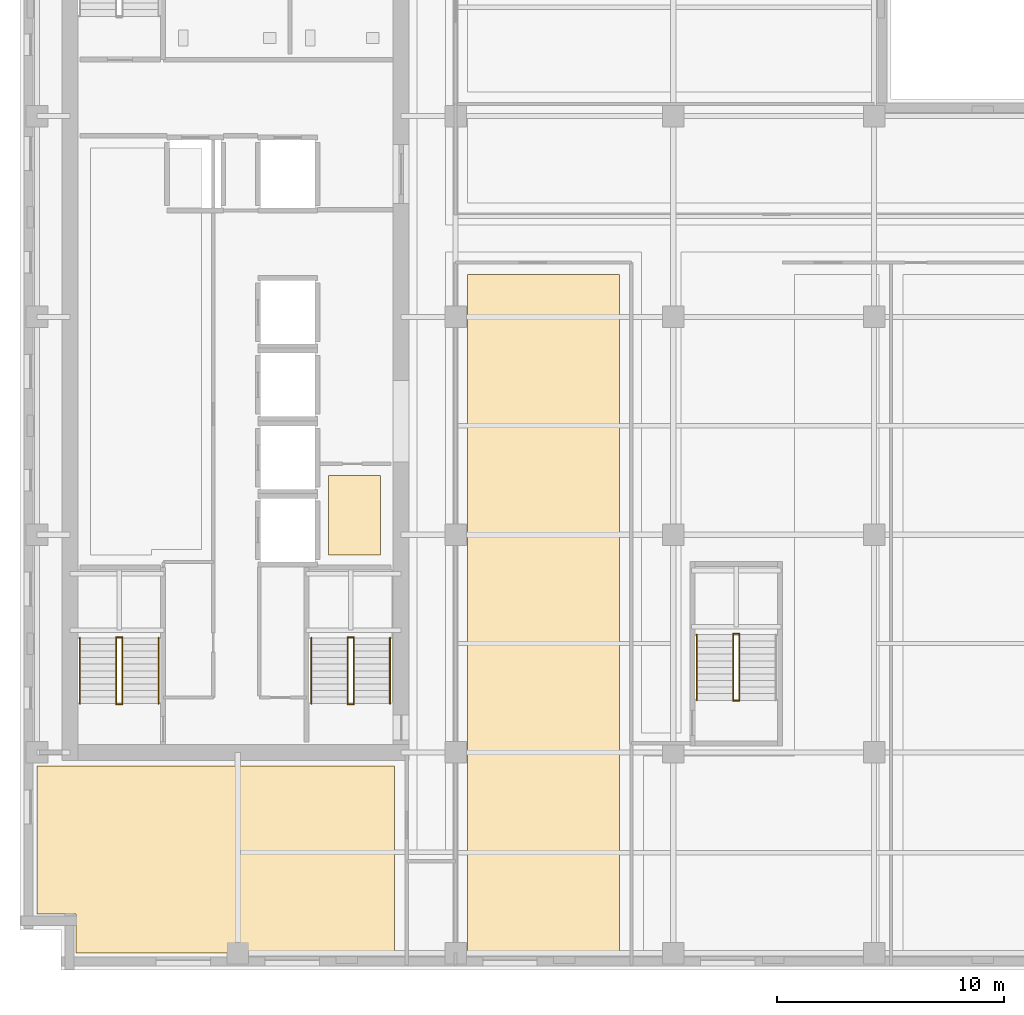
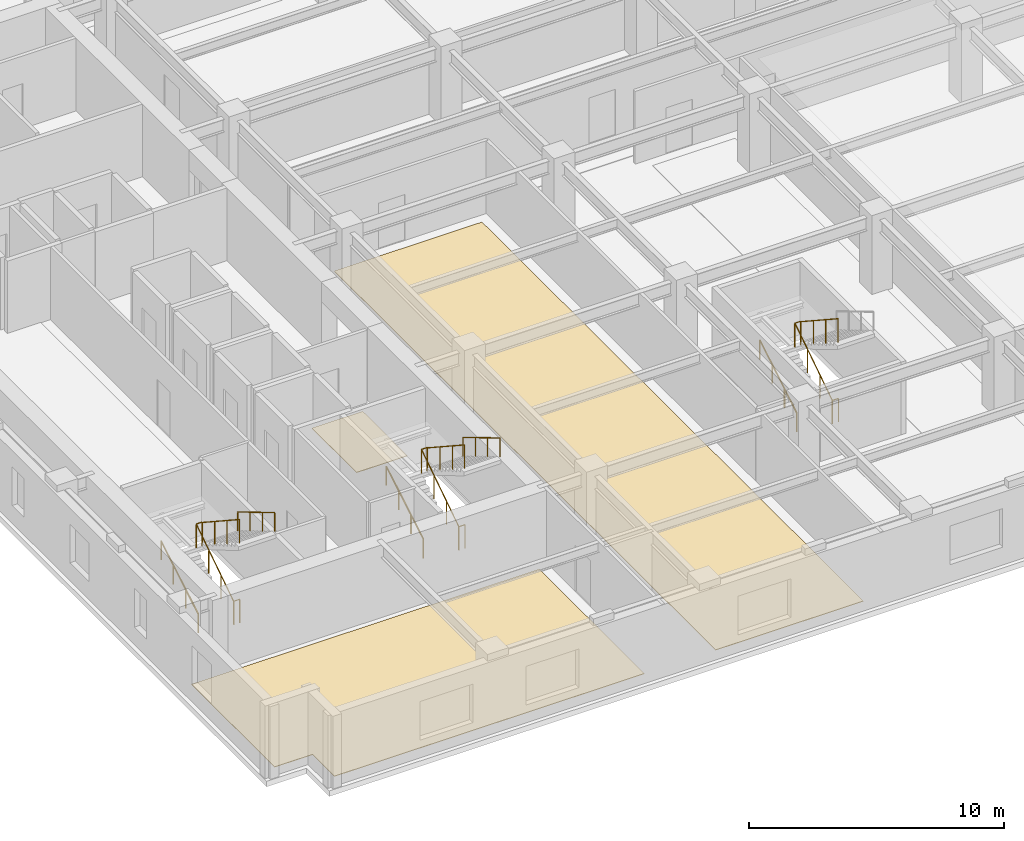
# One storey, part 9 of 13: 17 railings, 3 coverings.
"""IFC4 building model written with IfcOpenShell, lengths in metres."""

from ifc_helpers import new_model, si_unit, direction, frame, origin, origin_2d, place, context, subcontext, project, spatial, polyline, circle, outline, extrude, material, layer, layer_set, type_object, element, save


model = new_model("IFC4")

# Units and contexts
model_context = context("Model", 3, precision=1e-05, world=origin(), true_north=direction((0.0, 1.0)))
body_context = subcontext(model_context, "Body", "Model", "MODEL_VIEW")
ifc_project = project(units=[si_unit("LENGTHUNIT", "METRE"), si_unit("AREAUNIT", "SQUARE_METRE"), si_unit("VOLUMEUNIT", "CUBIC_METRE"), si_unit("PLANEANGLEUNIT", "RADIAN"), si_unit("MASSUNIT", "GRAM", prefix="KILO")], contexts=[model_context])

# Site, building, storey
site_placement = place(None, origin())
site = spatial("IfcSite", under=ifc_project, at=site_placement, CompositionType="ELEMENT")
building_placement = place(site_placement, origin())
building = spatial("IfcBuilding", under=site, at=building_placement, Name="Norrvale University Quadrangle", CompositionType="ELEMENT")
storey_placement = place(building_placement, frame((0.0, 0.0, 190.199951171875)))
storey = spatial("IfcBuildingStorey", under=building, at=storey_placement, Name="L48", CompositionType="ELEMENT", Elevation=190.199951171875)

# Coverings
ifc_material_1 = material(Name="Polished Terrazzo Flooring")
ifc_layer = layer(ifc_material_1, 0.02490234375, Name="Polished Terrazzo Flooring")
ifc_layer_set = layer_set([ifc_layer], Name="Polished Terrazzo Flooring")
covering_type = type_object("IfcCoveringType", Name="Covering Terrazzo Floor 30", PredefinedType="FLOORING", material=ifc_layer_set)
covering_1_placement = place(storey_placement, origin())
element("IfcCovering", 1, at=covering_1_placement, inside=storey, type_object=covering_type, Name="Terrazzo Flooring RM-L48-JAN", PredefinedType="FLOORING", context=body_context, shape_type="SweptSolid", body=[
    extrude(outline(polyline([(13.60009765625, 18.300048828125), (13.60009765625, 21.800048828125), (15.89990234375, 21.800048828125), (15.89990234375, 18.300048828125), (13.60009765625, 18.300048828125)])), origin(), (0.0, 0.0, 1.0), 0.025146484375),
])
covering_2_placement = place(storey_placement, origin())
element("IfcCovering", 2, at=covering_2_placement, inside=storey, type_object=covering_type, Name="Terrazzo Flooring RM-L48-SW1", PredefinedType="FLOORING", context=body_context, shape_type="SweptSolid", body=[
    extrude(outline(polyline([(0.75, 9.0), (16.5, 9.0), (16.5, 0.75), (2.469970703125, 0.75), (2.469970703125, 2.469970703125), (0.75, 2.469970703125), (0.75, 9.0)])), origin(), (0.0, 0.0, 1.0), 0.025146484375),
])
covering_3_placement = place(storey_placement, origin())
element("IfcCovering", 3, at=covering_3_placement, inside=storey, type_object=covering_type, Name="Terrazzo Flooring RM-L48-SE1", PredefinedType="FLOORING", context=body_context, shape_type="SweptSolid", body=[
    extrude(outline(polyline([(19.72998046875, 30.669921875), (26.419921875, 30.669921875), (26.419921875, 0.75), (19.72998046875, 0.75), (19.72998046875, 30.669921875)])), origin(), (0.0, 0.0, 1.0), 0.025146484375),
])

# Railings
ifc_material_2 = material(Name="Steel 350W Painted Balustrade", Category="steel")
railing_type_1 = type_object("IfcRailingType", Name="Railing Stair Guard 1100", PredefinedType="GUARDRAIL", material=ifc_material_2)
for number, where, name in (
    (4, (4.239990234375, 11.719970703125, 0.0), "Stair Floor Well Guard ST-01 L48"),
    (5, (4.239990234375, 14.679931640625, 1.900146484375), "Stair Mid-Landing Slot Guard ST-01 L48"),
):
    element("IfcRailing", number, at=place(storey_placement, frame(where)), inside=storey, type_object=railing_type_1, Name=name, PredefinedType="GUARDRAIL", context=body_context, shape_type="SweptSolid", body=[
        extrude(circle(Radius=0.02392578125, at=origin_2d()), frame((0.0, 0.0, 1.1259765625), z_axis=(1.0, 0.0, 0.0), x_axis=(0.0, 1.0, 0.0)), (0.0, 0.0, 1.0), 0.27001953125),
        extrude(circle(Radius=0.02099609375, at=origin_2d()), origin(), (0.0, 0.0, 1.0), 1.101806640625),
        extrude(circle(Radius=0.02099609375, at=origin_2d()), frame((0.27001953125, 0.0, 0.0)), (0.0, 0.0, 1.0), 1.101806640625),
    ])
railing_1_placement = place(storey_placement, frame((4.239990234375, 11.75, 0.0)))
element("IfcRailing", 6, at=railing_1_placement, inside=storey, type_object=railing_type_1, Name="Stair Lower Flight Inner Guard ST-01 L48", PredefinedType="GUARDRAIL", context=body_context, shape_type="SweptSolid", body=[
    extrude(circle(Radius=0.02392578125, at=origin_2d()), frame((0.0, 0.0, 1.1259765625), z_axis=(0.0, 0.836433300813, 0.548068730445), x_axis=(-1.0, 0.0, 0.0)), (0.0, 0.0, 1.0), 3.467041015625),
    extrude(circle(Radius=0.02099609375, at=origin_2d()), origin(), (0.0, 0.0, 1.0), 1.101806640625),
    extrude(circle(Radius=0.02099609375, at=origin_2d()), frame((0.0, 0.966552734375, 0.63330078125)), (0.0, 0.0, 1.0), 1.101806640625),
    extrude(circle(Radius=0.02099609375, at=origin_2d()), frame((0.0, 1.933349609375, 1.266845703125)), (0.0, 0.0, 1.0), 1.101806640625),
    extrude(circle(Radius=0.02099609375, at=origin_2d()), frame((0.0, 2.89990234375, 1.900146484375)), (0.0, 0.0, 1.0), 1.101806640625),
])
railing_2_placement = place(storey_placement, frame((4.510009765625, 14.64990234375, 1.900146484375)))
element("IfcRailing", 7, at=railing_2_placement, inside=storey, type_object=railing_type_1, Name="Stair Upper Flight Inner Guard ST-01 L48", PredefinedType="GUARDRAIL", context=body_context, shape_type="SweptSolid", body=[
    extrude(circle(Radius=0.02392578125, at=origin_2d()), frame((0.0, 0.0, 1.1259765625), z_axis=(0.0, -0.836465582154, 0.548019461216), x_axis=(1.0, 0.0, 0.0)), (0.0, 0.0, 1.0), 3.466796875),
    extrude(circle(Radius=0.02099609375, at=origin_2d()), origin(), (0.0, 0.0, 1.0), 1.101806640625),
    extrude(circle(Radius=0.02099609375, at=origin_2d()), frame((0.0, -0.966552734375, 0.63330078125)), (0.0, 0.0, 1.0), 1.101806640625),
    extrude(circle(Radius=0.02099609375, at=origin_2d()), frame((0.0, -1.933349609375, 1.2666015625)), (0.0, 0.0, 1.0), 1.101806640625),
    extrude(circle(Radius=0.02099609375, at=origin_2d()), frame((0.0, -2.89990234375, 1.89990234375)), (0.0, 0.0, 1.0), 1.101806640625),
])
for number, where, name in (
    (8, (14.43994140625, 11.719970703125, 0.0), "Stair Floor Well Guard ST-03 L48"),
    (9, (14.43994140625, 14.679931640625, 1.900146484375), "Stair Mid-Landing Slot Guard ST-03 L48"),
):
    element("IfcRailing", number, at=place(storey_placement, frame(where)), inside=storey, type_object=railing_type_1, Name=name, PredefinedType="GUARDRAIL", context=body_context, shape_type="SweptSolid", body=[
        extrude(circle(Radius=0.02392578125, at=origin_2d()), frame((0.0, 0.0, 1.1259765625), z_axis=(1.0, 0.0, 0.0), x_axis=(0.0, 1.0, 0.0)), (0.0, 0.0, 1.0), 0.27001953125),
        extrude(circle(Radius=0.02099609375, at=origin_2d()), origin(), (0.0, 0.0, 1.0), 1.101806640625),
        extrude(circle(Radius=0.02099609375, at=origin_2d()), frame((0.27001953125, 0.0, 0.0)), (0.0, 0.0, 1.0), 1.101806640625),
    ])
railing_3_placement = place(storey_placement, frame((14.43994140625, 11.75, 0.0)))
element("IfcRailing", 10, at=railing_3_placement, inside=storey, type_object=railing_type_1, Name="Stair Lower Flight Inner Guard ST-03 L48", PredefinedType="GUARDRAIL", context=body_context, shape_type="SweptSolid", body=[
    extrude(circle(Radius=0.02392578125, at=origin_2d()), frame((0.0, 0.0, 1.1259765625), z_axis=(0.0, 0.836433300813, 0.548068730445), x_axis=(-1.0, 0.0, 0.0)), (0.0, 0.0, 1.0), 3.467041015625),
    extrude(circle(Radius=0.02099609375, at=origin_2d()), origin(), (0.0, 0.0, 1.0), 1.101806640625),
    extrude(circle(Radius=0.02099609375, at=origin_2d()), frame((0.0, 0.966552734375, 0.63330078125)), (0.0, 0.0, 1.0), 1.101806640625),
    extrude(circle(Radius=0.02099609375, at=origin_2d()), frame((0.0, 1.933349609375, 1.266845703125)), (0.0, 0.0, 1.0), 1.101806640625),
    extrude(circle(Radius=0.02099609375, at=origin_2d()), frame((0.0, 2.89990234375, 1.900146484375)), (0.0, 0.0, 1.0), 1.101806640625),
])
railing_4_placement = place(storey_placement, frame((14.7099609375, 14.64990234375, 1.900146484375)))
element("IfcRailing", 11, at=railing_4_placement, inside=storey, type_object=railing_type_1, Name="Stair Upper Flight Inner Guard ST-03 L48", PredefinedType="GUARDRAIL", context=body_context, shape_type="SweptSolid", body=[
    extrude(circle(Radius=0.02392578125, at=origin_2d()), frame((0.0, 0.0, 1.1259765625), z_axis=(0.0, -0.836465582154, 0.548019461216), x_axis=(1.0, 0.0, 0.0)), (0.0, 0.0, 1.0), 3.466796875),
    extrude(circle(Radius=0.02099609375, at=origin_2d()), origin(), (0.0, 0.0, 1.0), 1.101806640625),
    extrude(circle(Radius=0.02099609375, at=origin_2d()), frame((0.0, -0.966552734375, 0.63330078125)), (0.0, 0.0, 1.0), 1.101806640625),
    extrude(circle(Radius=0.02099609375, at=origin_2d()), frame((0.0, -1.933349609375, 1.2666015625)), (0.0, 0.0, 1.0), 1.101806640625),
    extrude(circle(Radius=0.02099609375, at=origin_2d()), frame((0.0, -2.89990234375, 1.89990234375)), (0.0, 0.0, 1.0), 1.101806640625),
])
for number, where, name in (
    (12, (31.43994140625, 11.8701171875, 0.0), "Stair Floor Well Guard ST-04 L48"),
    (13, (31.43994140625, 14.830078125, 1.900146484375), "Stair Mid-Landing Slot Guard ST-04 L48"),
):
    element("IfcRailing", number, at=place(storey_placement, frame(where)), inside=storey, type_object=railing_type_1, Name=name, PredefinedType="GUARDRAIL", context=body_context, shape_type="SweptSolid", body=[
        extrude(circle(Radius=0.02392578125, at=origin_2d()), frame((0.0, 0.0, 1.1259765625), z_axis=(1.0, 0.0, 0.0), x_axis=(0.0, 1.0, 0.0)), (0.0, 0.0, 1.0), 0.27001953125),
        extrude(circle(Radius=0.02099609375, at=origin_2d()), origin(), (0.0, 0.0, 1.0), 1.101806640625),
        extrude(circle(Radius=0.02099609375, at=origin_2d()), frame((0.27001953125, 0.0, 0.0)), (0.0, 0.0, 1.0), 1.101806640625),
    ])
railing_5_placement = place(storey_placement, frame((31.43994140625, 11.89990234375, 0.0)))
element("IfcRailing", 14, at=railing_5_placement, inside=storey, type_object=railing_type_1, Name="Stair Lower Flight Inner Guard ST-04 L48", PredefinedType="GUARDRAIL", context=body_context, shape_type="SweptSolid", body=[
    extrude(circle(Radius=0.02392578125, at=origin_2d()), frame((0.0, 0.0, 1.1259765625), z_axis=(0.0, 0.836454451266, 0.548036450392), x_axis=(-1.0, 0.0, 0.0)), (0.0, 0.0, 1.0), 3.46728515625),
    extrude(circle(Radius=0.02099609375, at=origin_2d()), origin(), (0.0, 0.0, 1.0), 1.101806640625),
    extrude(circle(Radius=0.02099609375, at=origin_2d()), frame((0.0, 0.966796875, 0.63330078125)), (0.0, 0.0, 1.0), 1.101806640625),
    extrude(circle(Radius=0.02099609375, at=origin_2d()), frame((0.0, 1.933349609375, 1.266845703125)), (0.0, 0.0, 1.0), 1.101806640625),
    extrude(circle(Radius=0.02099609375, at=origin_2d()), frame((0.0, 2.900146484375, 1.900146484375)), (0.0, 0.0, 1.0), 1.101806640625),
])
railing_6_placement = place(storey_placement, frame((31.7099609375, 14.800048828125, 1.900146484375)))
element("IfcRailing", 15, at=railing_6_placement, inside=storey, type_object=railing_type_1, Name="Stair Upper Flight Inner Guard ST-04 L48", PredefinedType="GUARDRAIL", context=body_context, shape_type="SweptSolid", body=[
    extrude(circle(Radius=0.02392578125, at=origin_2d()), frame((0.0, 0.0, 1.1259765625), z_axis=(0.0, -0.836486729621, 0.547987181573), x_axis=(1.0, 0.0, 0.0)), (0.0, 0.0, 1.0), 3.467041015625),
    extrude(circle(Radius=0.02099609375, at=origin_2d()), origin(), (0.0, 0.0, 1.0), 1.101806640625),
    extrude(circle(Radius=0.02099609375, at=origin_2d()), frame((0.0, -0.966796875, 0.63330078125)), (0.0, 0.0, 1.0), 1.101806640625),
    extrude(circle(Radius=0.02099609375, at=origin_2d()), frame((0.0, -1.933349609375, 1.2666015625)), (0.0, 0.0, 1.0), 1.101806640625),
    extrude(circle(Radius=0.02099609375, at=origin_2d()), frame((0.0, -2.900146484375, 1.89990234375)), (0.0, 0.0, 1.0), 1.101806640625),
])
ifc_material_3 = material(Name="Stainless Steel 316L Handrail", Category="steel")
railing_type_2 = type_object("IfcRailingType", Name="Railing Stair Handrail 920", PredefinedType="HANDRAIL", material=ifc_material_3)
railing_7_placement = place(storey_placement, frame((2.639892578125, 11.75, 0.1728515625)))
element("IfcRailing", 16, at=railing_7_placement, inside=storey, type_object=railing_type_2, Name="Stair Lower Flight Handrail ST-01 L48", PredefinedType="HANDRAIL", context=body_context, shape_type="SweptSolid", body=[
    extrude(circle(Radius=0.02392578125, at=origin_2d()), frame((0.0, 0.0, 0.89599609375), z_axis=(0.0, 0.859141464434, 0.511738159696), x_axis=(-1.0, 0.0, 0.0)), (0.0, 0.0, 1.0), 3.375244140625),
    extrude(circle(Radius=0.02099609375, at=origin_2d()), origin(), (0.0, 0.0, 1.0), 0.871826171875),
    extrude(circle(Radius=0.02099609375, at=origin_2d()), frame((0.0, 0.966552734375, 0.57568359375)), (0.0, 0.0, 1.0), 0.871826171875),
    extrude(circle(Radius=0.02099609375, at=origin_2d()), frame((0.0, 1.933349609375, 1.151611328125)), (0.0, 0.0, 1.0), 0.871826171875),
    extrude(circle(Radius=0.02099609375, at=origin_2d()), frame((0.0, 2.89990234375, 1.727294921875)), (0.0, 0.0, 1.0), 0.871826171875),
])
railing_8_placement = place(storey_placement, frame((6.110107421875, 14.64990234375, 2.07275390625)))
element("IfcRailing", 17, at=railing_8_placement, inside=storey, type_object=railing_type_2, Name="Stair Upper Flight Handrail ST-01 L48", PredefinedType="HANDRAIL", context=body_context, shape_type="SweptSolid", body=[
    extrude(circle(Radius=0.02392578125, at=origin_2d()), frame((0.0, 0.0, 0.89599609375), z_axis=(0.0, -0.859141464434, 0.511738159696), x_axis=(1.0, 0.0, 0.0)), (0.0, 0.0, 1.0), 3.375244140625),
    extrude(circle(Radius=0.02099609375, at=origin_2d()), origin(), (0.0, 0.0, 1.0), 0.871826171875),
    extrude(circle(Radius=0.02099609375, at=origin_2d()), frame((0.0, -0.966552734375, 0.57568359375)), (0.0, 0.0, 1.0), 0.871826171875),
    extrude(circle(Radius=0.02099609375, at=origin_2d()), frame((0.0, -1.933349609375, 1.151611328125)), (0.0, 0.0, 1.0), 0.871826171875),
    extrude(circle(Radius=0.02099609375, at=origin_2d()), frame((0.0, -2.89990234375, 1.727294921875)), (0.0, 0.0, 1.0), 0.871826171875),
])
railing_9_placement = place(storey_placement, frame((12.840087890625, 11.75, 0.1728515625)))
element("IfcRailing", 18, at=railing_9_placement, inside=storey, type_object=railing_type_2, Name="Stair Lower Flight Handrail ST-03 L48", PredefinedType="HANDRAIL", context=body_context, shape_type="SweptSolid", body=[
    extrude(circle(Radius=0.02392578125, at=origin_2d()), frame((0.0, 0.0, 0.89599609375), z_axis=(0.0, 0.859141464434, 0.511738159696), x_axis=(-1.0, 0.0, 0.0)), (0.0, 0.0, 1.0), 3.375244140625),
    extrude(circle(Radius=0.02099609375, at=origin_2d()), origin(), (0.0, 0.0, 1.0), 0.871826171875),
    extrude(circle(Radius=0.02099609375, at=origin_2d()), frame((0.0, 0.966552734375, 0.57568359375)), (0.0, 0.0, 1.0), 0.871826171875),
    extrude(circle(Radius=0.02099609375, at=origin_2d()), frame((0.0, 1.933349609375, 1.151611328125)), (0.0, 0.0, 1.0), 0.871826171875),
    extrude(circle(Radius=0.02099609375, at=origin_2d()), frame((0.0, 2.89990234375, 1.727294921875)), (0.0, 0.0, 1.0), 0.871826171875),
])
railing_10_placement = place(storey_placement, frame((16.31005859375, 14.64990234375, 2.07275390625)))
element("IfcRailing", 19, at=railing_10_placement, inside=storey, type_object=railing_type_2, Name="Stair Upper Flight Handrail ST-03 L48", PredefinedType="HANDRAIL", context=body_context, shape_type="SweptSolid", body=[
    extrude(circle(Radius=0.02392578125, at=origin_2d()), frame((0.0, 0.0, 0.89599609375), z_axis=(0.0, -0.859141464434, 0.511738159696), x_axis=(1.0, 0.0, 0.0)), (0.0, 0.0, 1.0), 3.375244140625),
    extrude(circle(Radius=0.02099609375, at=origin_2d()), origin(), (0.0, 0.0, 1.0), 0.871826171875),
    extrude(circle(Radius=0.02099609375, at=origin_2d()), frame((0.0, -0.966552734375, 0.57568359375)), (0.0, 0.0, 1.0), 0.871826171875),
    extrude(circle(Radius=0.02099609375, at=origin_2d()), frame((0.0, -1.933349609375, 1.151611328125)), (0.0, 0.0, 1.0), 0.871826171875),
    extrude(circle(Radius=0.02099609375, at=origin_2d()), frame((0.0, -2.89990234375, 1.727294921875)), (0.0, 0.0, 1.0), 0.871826171875),
])
railing_11_placement = place(storey_placement, frame((29.840087890625, 11.89990234375, 0.1728515625)))
element("IfcRailing", 20, at=railing_11_placement, inside=storey, type_object=railing_type_2, Name="Stair Lower Flight Handrail ST-04 L48", PredefinedType="HANDRAIL", context=body_context, shape_type="SweptSolid", body=[
    extrude(circle(Radius=0.02392578125, at=origin_2d()), frame((0.0, 0.0, 0.89599609375), z_axis=(0.0, 0.859160404282, 0.51170636083), x_axis=(-1.0, 0.0, 0.0)), (0.0, 0.0, 1.0), 3.37548828125),
    extrude(circle(Radius=0.02099609375, at=origin_2d()), origin(), (0.0, 0.0, 1.0), 0.871826171875),
    extrude(circle(Radius=0.02099609375, at=origin_2d()), frame((0.0, 0.966796875, 0.57568359375)), (0.0, 0.0, 1.0), 0.871826171875),
    extrude(circle(Radius=0.02099609375, at=origin_2d()), frame((0.0, 1.933349609375, 1.151611328125)), (0.0, 0.0, 1.0), 0.871826171875),
    extrude(circle(Radius=0.02099609375, at=origin_2d()), frame((0.0, 2.900146484375, 1.727294921875)), (0.0, 0.0, 1.0), 0.871826171875),
])

save(model, "model.ifc")
